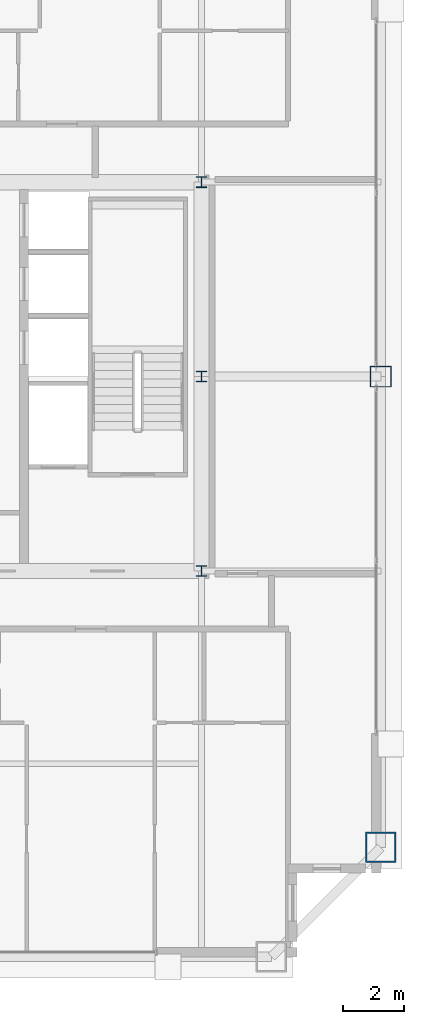
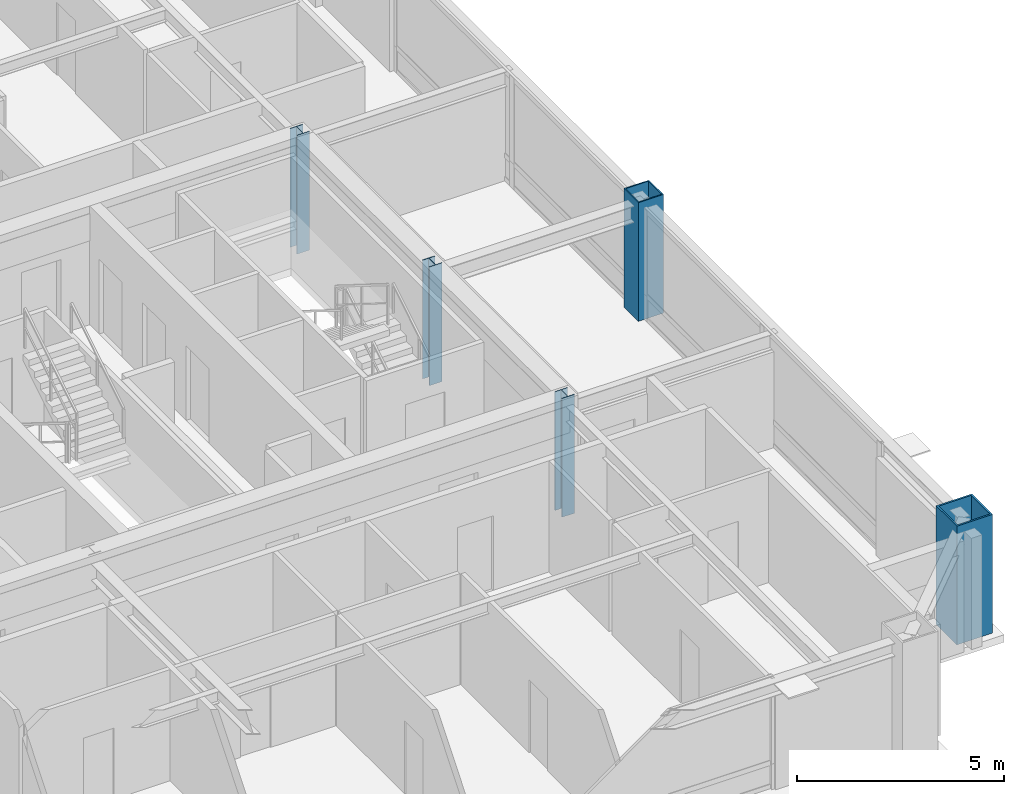
# One storey, part 2 of 35: 5 columns.
"""IFC4 building model written with IfcOpenShell, lengths in metres."""

from ifc_helpers import new_model, si_unit, direction, frame, origin, origin_2d, place, context, subcontext, project, spatial, hollow_rectangle, i_section, extrude, source, transform, mapped, material, material_profile, profile_set, type_object, element, save


model = new_model("IFC4")

# Units and contexts
model_context = context("Model", 3, precision=1e-05, world=origin(), true_north=direction((0.0, 1.0)))
body_context = subcontext(model_context, "Body", "Model", "MODEL_VIEW")
ifc_project = project(units=[si_unit("LENGTHUNIT", "METRE"), si_unit("AREAUNIT", "SQUARE_METRE"), si_unit("VOLUMEUNIT", "CUBIC_METRE"), si_unit("PLANEANGLEUNIT", "RADIAN"), si_unit("MASSUNIT", "GRAM", prefix="KILO"), si_unit("THERMODYNAMICTEMPERATUREUNIT", "KELVIN"), si_unit("POWERUNIT", "WATT")], contexts=[model_context])

# Site, building, storey
site_placement = place(None, origin())
site = spatial("IfcSite", under=ifc_project, at=site_placement, CompositionType="ELEMENT")
building_placement = place(site_placement, origin())
building = spatial("IfcBuilding", under=site, at=building_placement, Name="Yuzanri Waterfront Tower", CompositionType="ELEMENT")
storey_placement = place(building_placement, frame((0.0, 0.0, 296.10009765625)))
storey = spatial("IfcBuildingStorey", under=building, at=storey_placement, Name="L79", CompositionType="ELEMENT", Elevation=296.10009765625)

# Columns
ifc_material_1 = material(Name="Steel Q355B", Category="steel")
ifc_material_profile_1 = material_profile(ifc_material_1, hollow_rectangle(XDim=0.699951171875, YDim=0.699951171875, WallThickness=0.031982421875, at=origin_2d()), Name="RHS 700x700x32")
ifc_profile_set_1 = profile_set([ifc_material_profile_1], Name="Steel Q355B")
column_type_1 = type_object("IfcColumnType", Name="Frame Column Q355B RHS 700x700x32", PredefinedType="COLUMN", material=ifc_profile_set_1)
shared_shape_1 = source(origin(), body_context, "Body", "SweptSolid", [
    extrude(hollow_rectangle(XDim=0.699951171875, YDim=0.699951171875, WallThickness=0.031982421875, at=origin_2d()), origin(), (0.0, 0.0, 1.0), 3.5),
])
column_1_placement = place(storey_placement, frame((56.10009765625, 25.800048828125, 0.0), z_axis=(0.0, 0.0, 1.0), x_axis=(1.0, 0.0, 0.0)))
element("IfcColumn", 1, at=column_1_placement, inside=storey, type_object=column_type_1, Name="L79 Perimeter Frame Column E2", PredefinedType="COLUMN", context=body_context, shape_type="MappedRepresentation", body=[
    mapped(shared_shape_1, transform((0.0, 0.0, 0.0), scale=1.0)),
])
ifc_material_2 = material(Name="Steel Q355B", Category="steel")
ifc_material_profile_2 = material_profile(ifc_material_2, i_section(OverallWidth=0.35009765625, OverallDepth=0.35009765625, WebThickness=0.011962890625, FlangeThickness=0.01904296875, at=origin_2d()), Name="HW 350x350x12x19")
ifc_profile_set_2 = profile_set([ifc_material_profile_2], Name="Steel Q355B")
column_type_2 = type_object("IfcColumnType", Name="Core Post Q355B HW 350x350x12x19", PredefinedType="COLUMN", material=ifc_profile_set_2)
shared_shape_2 = source(origin(), body_context, "Body", "SweptSolid", [
    extrude(i_section(OverallWidth=0.35009765625, OverallDepth=0.35009765625, WebThickness=0.011962890625, FlangeThickness=0.01904296875, at=origin_2d()), origin(), (0.0, 0.0, 1.0), 3.5),
])
for number, where, z_axis, x_axis, name in (
    (2, (50.199951171875, 19.39990234375, 0.0), (0.0, 0.0, 1.0), (1.0, 0.0, 0.0), "L79 Core Boundary Column CP3"),
    (3, (50.199951171875, 25.800048828125, 0.0), (0.0, 0.0, 1.0), (1.0, 0.0, 0.0), "L79 Core Boundary Column CP5"),
    (4, (50.199951171875, 32.199951171875, 0.0), (0.0, 0.0, 1.0), (1.0, 0.0, 0.0), "L79 Core Boundary Column CP8"),
):
    element("IfcColumn", number, at=place(storey_placement, frame(where, z_axis=z_axis, x_axis=x_axis)), inside=storey, type_object=column_type_2, Name=name, PredefinedType="COLUMN", context=body_context, shape_type="MappedRepresentation", body=[
        mapped(shared_shape_2, transform((0.0, 0.0, 0.0), scale=1.0)),
    ])
ifc_material_3 = material(Name="Steel Q390GJC", Category="steel")
ifc_material_profile_3 = material_profile(ifc_material_3, hollow_rectangle(XDim=1.0, YDim=1.0, WallThickness=0.048095703125, at=origin_2d()), Name="RHS 1000x1000x48")
ifc_profile_set_3 = profile_set([ifc_material_profile_3], Name="Steel Q390GJC")
column_type_3 = type_object("IfcColumnType", Name="Mega Column Q390GJC RHS 1000x1000x48", PredefinedType="COLUMN", material=ifc_profile_set_3)
shared_shape_3 = source(origin(), body_context, "Body", "SweptSolid", [
    extrude(hollow_rectangle(XDim=1.0, YDim=1.0, WallThickness=0.048095703125, at=origin_2d()), origin(), (0.0, 0.0, 1.0), 3.5),
])
column_2_placement = place(storey_placement, frame((56.10009765625, 10.300048828125, 0.0), z_axis=(0.0, 0.0, 1.0), x_axis=(1.0, 0.0, 0.0)))
element("IfcColumn", 5, at=column_2_placement, inside=storey, type_object=column_type_3, Name="L79 Perimeter Mega Column E1", PredefinedType="COLUMN", context=body_context, shape_type="MappedRepresentation", body=[
    mapped(shared_shape_3, transform((0.0, 0.0, 0.0), scale=1.0)),
])

save(model, "model.ifc")
